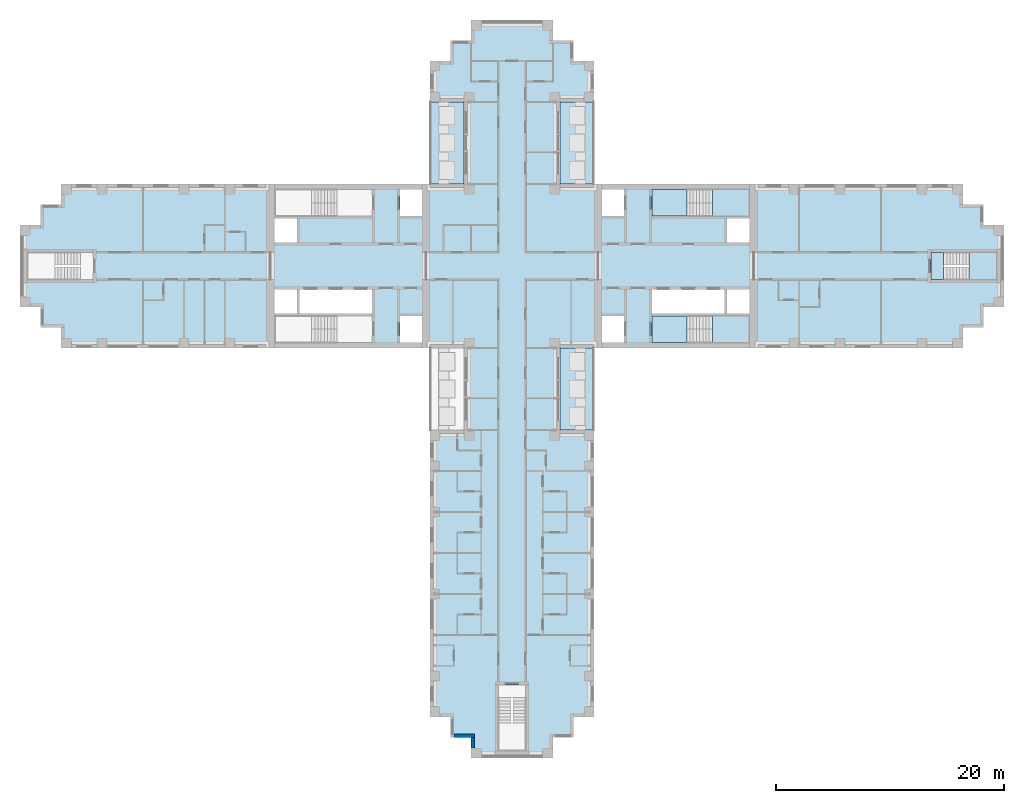
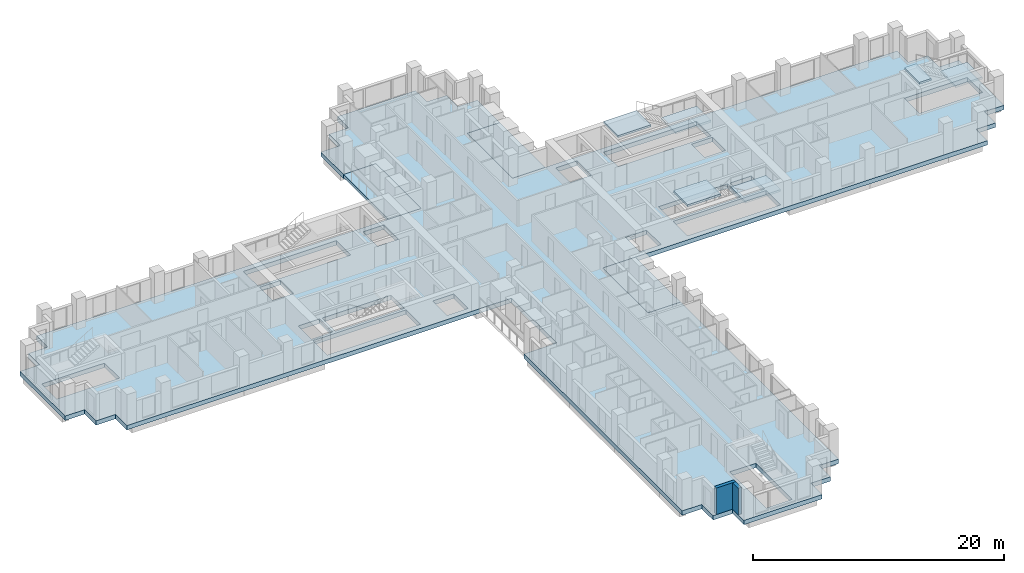
# One storey, part 2 of 14: 10 slabs, 2 walls, 3 elements without a shape of their own.
"""IFC4 building model written with IfcOpenShell, lengths in metres."""

from ifc_helpers import new_model, si_unit, direction, frame, frame_2d, origin, place, context, subcontext, project, spatial, polyline, rectangle, outline, extrude, material, layer, layer_set, type_object, element, aggregate, save


model = new_model("IFC4")

# Units and contexts
model_context = context("Model", 3, precision=1e-05, world=origin(), true_north=direction((0.0, 1.0)))
body_context = subcontext(model_context, "Body", "Model", "MODEL_VIEW")
ifc_project = project(units=[si_unit("LENGTHUNIT", "METRE"), si_unit("AREAUNIT", "SQUARE_METRE"), si_unit("VOLUMEUNIT", "CUBIC_METRE"), si_unit("PLANEANGLEUNIT", "RADIAN"), si_unit("MASSUNIT", "GRAM", prefix="KILO")], contexts=[model_context])

# Site, building, storey
site_placement = place(None, origin())
site = spatial("IfcSite", under=ifc_project, at=site_placement, CompositionType="ELEMENT")
building_placement = place(site_placement, origin())
building = spatial("IfcBuilding", under=site, at=building_placement, Name="Fustian Cross Tower", CompositionType="ELEMENT")
storey_placement = place(building_placement, frame((0.0, 0.0, 72.89990234375)))
storey = spatial("IfcBuildingStorey", under=building, at=storey_placement, Name="L22", CompositionType="ELEMENT", Elevation=72.89990234375)

# Slabs
ifc_material_1 = material(Name="Concrete C40/50", Category="concrete")
ifc_layer_1 = layer(ifc_material_1, 0.300048828125)
ifc_layer_set_1 = layer_set([ifc_layer_1], Name="Concrete C40/50")
slab_type_1 = type_object("IfcSlabType", Name="BS1 BALCONY SLAB 300", PredefinedType="FLOOR", material=ifc_layer_set_1)
slab_1_placement = place(storey_placement, frame((0.0, 0.0, -0.2998046875)))
element("IfcSlab", 1, at=slab_1_placement, inside=storey, type_object=slab_type_1, Name="Balcony slab", PredefinedType="FLOOR", context=body_context, shape_type="SweptSolid", body=[
    extrude(outline(polyline([(4.199951171875, 7.199951171875), (7.199951171875, 7.199951171875), (7.199951171875, 14.39990234375), (4.199951171875, 14.39990234375), (4.199951171875, 7.199951171875)])), origin(), (0.0, 0.0, 1.0), 0.2998046875),
])
slab_2_placement = place(storey_placement, frame((0.0, 0.0, -0.2998046875)))
element("IfcSlab", 2, at=slab_2_placement, inside=storey, type_object=slab_type_1, Name="Balcony slab", PredefinedType="FLOOR", context=body_context, shape_type="SweptSolid", body=[
    extrude(outline(polyline([(-7.199951171875, 7.199951171875), (-4.199951171875, 7.199951171875), (-4.199951171875, 14.39990234375), (-7.199951171875, 14.39990234375), (-7.199951171875, 7.199951171875)])), origin(), (0.0, 0.0, 1.0), 0.2998046875),
])
slab_3_placement = place(storey_placement, frame((0.0, 0.0, -0.2998046875)))
element("IfcSlab", 3, at=slab_3_placement, inside=storey, type_object=slab_type_1, Name="Balcony slab", PredefinedType="FLOOR", context=body_context, shape_type="SweptSolid", body=[
    extrude(outline(polyline([(4.199951171875, -14.39990234375), (7.199951171875, -14.39990234375), (7.199951171875, -7.199951171875), (4.199951171875, -7.199951171875), (4.199951171875, -14.39990234375)])), origin(), (0.0, 0.0, 1.0), 0.2998046875),
])
ifc_material_2 = material(Name="Concrete C40/50", Category="concrete")
ifc_layer_2 = layer(ifc_material_2, 0.425048828125)
ifc_layer_set_2 = layer_set([ifc_layer_2], Name="Concrete C40/50")
slab_type_2 = type_object("IfcSlabType", Name="FLAT SLAB 425", PredefinedType="FLOOR", material=ifc_layer_set_2)
slab_4_placement = place(storey_placement, frame((0.0, 0.0, -0.4248046875)))
element("IfcSlab", 4, at=slab_4_placement, inside=storey, type_object=slab_type_2, Name="FLOOR SLAB L22-1", PredefinedType="FLOOR", context=body_context, shape_type="SweptSolid", body=[
    extrude(outline(polyline([(-4.199951171875, -7.199951171875), (-39.60009765625, -7.199951171875), (-39.60009765625, -5.39990234375), (-41.39990234375, -5.39990234375), (-41.39990234375, -3.60009765625), (-43.199951171875, -3.60009765625), (-43.199951171875, 3.60009765625), (-41.39990234375, 3.60009765625), (-41.39990234375, 5.39990234375), (-39.60009765625, 5.39990234375), (-39.60009765625, 7.199951171875), (-4.199951171875, 7.199951171875), (-4.199951171875, 14.39990234375), (-7.199951171875, 14.39990234375), (-7.199951171875, 18.0), (-5.39990234375, 18.0), (-5.39990234375, 19.800048828125), (-3.60009765625, 19.800048828125), (-3.60009765625, 21.60009765625), (3.60009765625, 21.60009765625), (3.60009765625, 19.800048828125), (5.39990234375, 19.800048828125), (5.39990234375, 18.0), (7.199951171875, 18.0), (7.199951171875, 14.39990234375), (4.199951171875, 14.39990234375), (4.199951171875, 7.199951171875), (39.60009765625, 7.199951171875), (39.60009765625, 5.39990234375), (41.39990234375, 5.39990234375), (41.39990234375, 3.60009765625), (43.199951171875, 3.60009765625), (43.199951171875, -3.60009765625), (41.39990234375, -3.60009765625), (41.39990234375, -5.39990234375), (39.60009765625, -5.39990234375), (39.60009765625, -7.199951171875), (4.199951171875, -7.199951171875), (4.199951171875, -14.39990234375), (7.199951171875, -14.39990234375), (7.199951171875, -39.60009765625), (5.39990234375, -39.60009765625), (5.39990234375, -41.39990234375), (3.60009765625, -41.39990234375), (3.60009765625, -43.199951171875), (-3.60009765625, -43.199951171875), (-3.60009765625, -41.39990234375), (-5.39990234375, -41.39990234375), (-5.39990234375, -39.60009765625), (-7.199951171875, -39.60009765625), (-7.199951171875, -14.39990234375), (-4.199951171875, -14.39990234375), (-4.199951171875, -7.199951171875)]), holes=[polyline([(20.85009765625, -2.050048828125), (18.89990234375, -2.050048828125), (18.89990234375, -4.14990234375), (20.85009765625, -4.14990234375), (20.85009765625, -2.050048828125)]), polyline([(20.85009765625, 2.050048828125), (20.85009765625, 4.14990234375), (18.89990234375, 4.14990234375), (18.89990234375, 2.050048828125), (20.85009765625, 2.050048828125)]), polyline([(7.89990234375, 4.39990234375), (9.85009765625, 4.39990234375), (9.85009765625, 6.699951171875), (7.89990234375, 6.699951171875), (7.89990234375, 4.39990234375)]), polyline([(7.89990234375, -4.39990234375), (7.89990234375, -6.699951171875), (9.85009765625, -6.699951171875), (9.85009765625, -4.39990234375), (7.89990234375, -4.39990234375)]), polyline([(-18.89990234375, -2.050048828125), (-20.85009765625, -2.050048828125), (-20.85009765625, -4.14990234375), (-18.89990234375, -4.14990234375), (-18.89990234375, -2.050048828125)]), polyline([(-18.89990234375, 2.050048828125), (-18.89990234375, 4.14990234375), (-20.85009765625, 4.14990234375), (-20.85009765625, 2.050048828125), (-18.89990234375, 2.050048828125)]), polyline([(-9.85009765625, 4.39990234375), (-7.89990234375, 4.39990234375), (-7.89990234375, 6.699951171875), (-9.85009765625, 6.699951171875), (-9.85009765625, 4.39990234375)]), polyline([(-9.85009765625, -4.39990234375), (-9.85009765625, -6.699951171875), (-7.89990234375, -6.699951171875), (-7.89990234375, -4.39990234375), (-9.85009765625, -4.39990234375)]), polyline([(18.64990234375, -2.050048828125), (12.300048828125, -2.050048828125), (12.300048828125, -4.14990234375), (18.64990234375, -4.14990234375), (18.64990234375, -2.050048828125)]), polyline([(-12.300048828125, -4.14990234375), (-12.300048828125, -2.050048828125), (-18.64990234375, -2.050048828125), (-18.64990234375, -4.14990234375), (-12.300048828125, -4.14990234375)]), polyline([(12.300048828125, 4.39990234375), (20.85009765625, 4.39990234375), (20.85009765625, 6.699951171875), (12.300048828125, 6.699951171875), (12.300048828125, 4.39990234375)]), polyline([(12.300048828125, -4.39990234375), (12.300048828125, -6.699951171875), (20.85009765625, -6.699951171875), (20.85009765625, -4.39990234375), (12.300048828125, -4.39990234375)]), polyline([(-12.300048828125, 6.699951171875), (-20.85009765625, 6.699951171875), (-20.85009765625, 4.39990234375), (-12.300048828125, 4.39990234375), (-12.300048828125, 6.699951171875)]), polyline([(-12.300048828125, -6.699951171875), (-12.300048828125, -4.39990234375), (-20.85009765625, -4.39990234375), (-20.85009765625, -6.699951171875), (-12.300048828125, -6.699951171875)]), polyline([(-1.199951171875, -42.60009765625), (1.199951171875, -42.60009765625), (1.199951171875, -36.800048828125), (-1.199951171875, -36.800048828125), (-1.199951171875, -42.60009765625)]), polyline([(36.800048828125, 1.199951171875), (36.800048828125, -1.199951171875), (42.60009765625, -1.199951171875), (42.60009765625, 1.199951171875), (36.800048828125, 1.199951171875)]), polyline([(-36.800048828125, 1.199951171875), (-42.60009765625, 1.199951171875), (-42.60009765625, -1.199951171875), (-36.800048828125, -1.199951171875), (-36.800048828125, 1.199951171875)])]), origin(), (0.0, 0.0, 1.0), 0.4248046875),
])

# Stair, slabs
ifc_material_3 = material(Name="Concrete C50/60", Category="concrete")
stair_type_1 = type_object("IfcStairType", Name="STAIR 1150 HALF TURN", PredefinedType="HALF_TURN_STAIR", material=ifc_material_3)
stair_1_placement = place(storey_placement, origin())
stair_1 = element("IfcStair", 5, at=stair_1_placement, inside=storey, type_object=stair_type_1, Name="Stair ST1", PredefinedType="HALF_TURN_STAIR")
ifc_material_4 = material(Name="Concrete C50/60", Category="concrete")
ifc_layer_3 = layer(ifc_material_4, 0.199951171875)
ifc_layer_set_3 = layer_set([ifc_layer_3], Name="Concrete C50/60")
slab_type_3 = type_object("IfcSlabType", Name="STAIR LANDING", PredefinedType="LANDING", material=ifc_layer_set_3)
slab_5_placement = place(storey_placement, frame((0.0, 0.0, 1.300048828125)))
slab_5 = element("IfcSlab", 6, at=slab_5_placement, type_object=slab_type_3, Name="ST1 landing 1", PredefinedType="LANDING", context=body_context, shape_type="SweptSolid", body=[
    extrude(outline(polyline([(17.590087890625, 4.39990234375), (20.85009765625, 4.39990234375), (20.85009765625, 6.699951171875), (17.590087890625, 6.699951171875), (17.590087890625, 4.39990234375)])), origin(), (0.0, 0.0, 1.0), 0.199951171875),
])
slab_6_placement = place(storey_placement, frame((0.0, 0.0, 2.800048828125)))
slab_6 = element("IfcSlab", 7, at=slab_6_placement, type_object=slab_type_3, Name="ST1 landing 2", PredefinedType="LANDING", context=body_context, shape_type="SweptSolid", body=[
    extrude(outline(polyline([(12.300048828125, 4.39990234375), (15.35009765625, 4.39990234375), (15.35009765625, 6.699951171875), (12.300048828125, 6.699951171875), (12.300048828125, 4.39990234375)])), origin(), (0.0, 0.0, 1.0), 0.199951171875),
])
aggregate(stair_1, [slab_5, slab_6])

stair_2_placement = place(storey_placement, origin())
stair_2 = element("IfcStair", 8, at=stair_2_placement, inside=storey, type_object=stair_type_1, Name="Stair ST2", PredefinedType="HALF_TURN_STAIR")
slab_7_placement = place(storey_placement, frame((0.0, 0.0, 1.300048828125)))
slab_7 = element("IfcSlab", 9, at=slab_7_placement, type_object=slab_type_3, Name="ST2 landing 1", PredefinedType="LANDING", context=body_context, shape_type="SweptSolid", body=[
    extrude(outline(polyline([(17.590087890625, -4.39990234375), (20.85009765625, -4.39990234375), (20.85009765625, -6.699951171875), (17.590087890625, -6.699951171875), (17.590087890625, -4.39990234375)])), origin(), (0.0, 0.0, 1.0), 0.199951171875),
])
slab_8_placement = place(storey_placement, frame((0.0, 0.0, 2.800048828125)))
slab_8 = element("IfcSlab", 10, at=slab_8_placement, type_object=slab_type_3, Name="ST2 landing 2", PredefinedType="LANDING", context=body_context, shape_type="SweptSolid", body=[
    extrude(outline(polyline([(12.300048828125, -4.39990234375), (15.35009765625, -4.39990234375), (15.35009765625, -6.699951171875), (12.300048828125, -6.699951171875), (12.300048828125, -4.39990234375)])), origin(), (0.0, 0.0, 1.0), 0.199951171875),
])
aggregate(stair_2, [slab_7, slab_8])

ifc_material_5 = material(Name="Concrete C50/60", Category="concrete")
stair_type_2 = type_object("IfcStairType", Name="STAIR 1100 HALF TURN", PredefinedType="HALF_TURN_STAIR", material=ifc_material_5)
stair_3_placement = place(storey_placement, origin())
stair_3 = element("IfcStair", 11, at=stair_3_placement, inside=storey, type_object=stair_type_2, Name="Stair ST8", PredefinedType="HALF_TURN_STAIR")
slab_9_placement = place(storey_placement, frame((0.0, 0.0, 1.300048828125)))
slab_9 = element("IfcSlab", 12, at=slab_9_placement, type_object=slab_type_3, Name="ST8 landing 1", PredefinedType="LANDING", context=body_context, shape_type="SweptSolid", body=[
    extrude(outline(polyline([(40.139892578125, -1.199951171875), (42.60009765625, -1.199951171875), (42.60009765625, 1.199951171875), (40.139892578125, 1.199951171875), (40.139892578125, -1.199951171875)])), origin(), (0.0, 0.0, 1.0), 0.199951171875),
])
slab_10_placement = place(storey_placement, frame((0.0, 0.0, 2.800048828125)))
slab_10 = element("IfcSlab", 13, at=slab_10_placement, type_object=slab_type_3, Name="ST8 landing 2", PredefinedType="LANDING", context=body_context, shape_type="SweptSolid", body=[
    extrude(outline(polyline([(36.800048828125, -1.199951171875), (37.89990234375, -1.199951171875), (37.89990234375, 1.199951171875), (36.800048828125, 1.199951171875), (36.800048828125, -1.199951171875)])), origin(), (0.0, 0.0, 1.0), 0.199951171875),
])
aggregate(stair_3, [slab_9, slab_10])

# Walls
ifc_material_6 = material(Name="Dark aluminium cladding on insulated backing wall", Category="aluminium")
ifc_layer_4 = layer(ifc_material_6, 0.300048828125)
ifc_layer_set_4 = layer_set([ifc_layer_4], Name="Dark aluminium cladding on insulated backing wall")
wall_type = type_object("IfcWallType", Name="XW1 EXTERNAL WALL 300", PredefinedType="SOLIDWALL", material=ifc_layer_set_4)
wall_1_placement = place(storey_placement, frame((-5.10009765625, -41.25, 0.0), z_axis=(0.0, 0.0, 1.0), x_axis=(1.0, 0.0, 0.0)))
element("IfcWall", 14, at=wall_1_placement, inside=storey, type_object=wall_type, Name="External wall", PredefinedType="SOLIDWALL", context=body_context, shape_type="SweptSolid", body=[
    extrude(rectangle(XDim=1.800048828125, YDim=0.300048828125, at=frame_2d((0.89990234375, 0.0))), origin(), (0.0, 0.0, 1.0), 2.5751953125),
])
wall_2_placement = place(storey_placement, frame((-3.449951171875, -41.39990234375, 0.0), z_axis=(0.0, 0.0, 1.0), x_axis=(0.0, -1.0, 0.0)))
element("IfcWall", 15, at=wall_2_placement, inside=storey, type_object=wall_type, Name="External wall", PredefinedType="SOLIDWALL", context=body_context, shape_type="SweptSolid", body=[
    extrude(rectangle(XDim=0.900146484375, YDim=0.300048828125, at=frame_2d((0.4501953125, 0.0))), origin(), (0.0, 0.0, 1.0), 2.5751953125),
])

save(model, "model.ifc")
